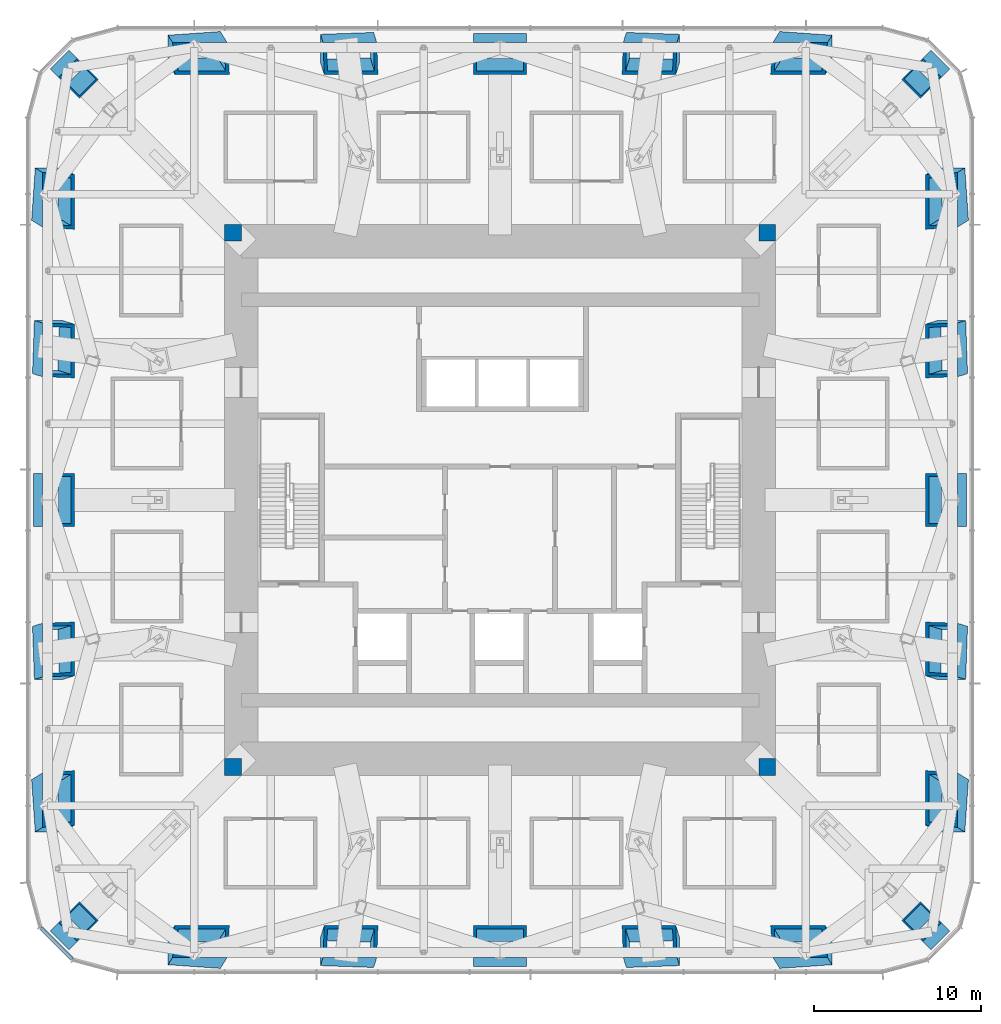
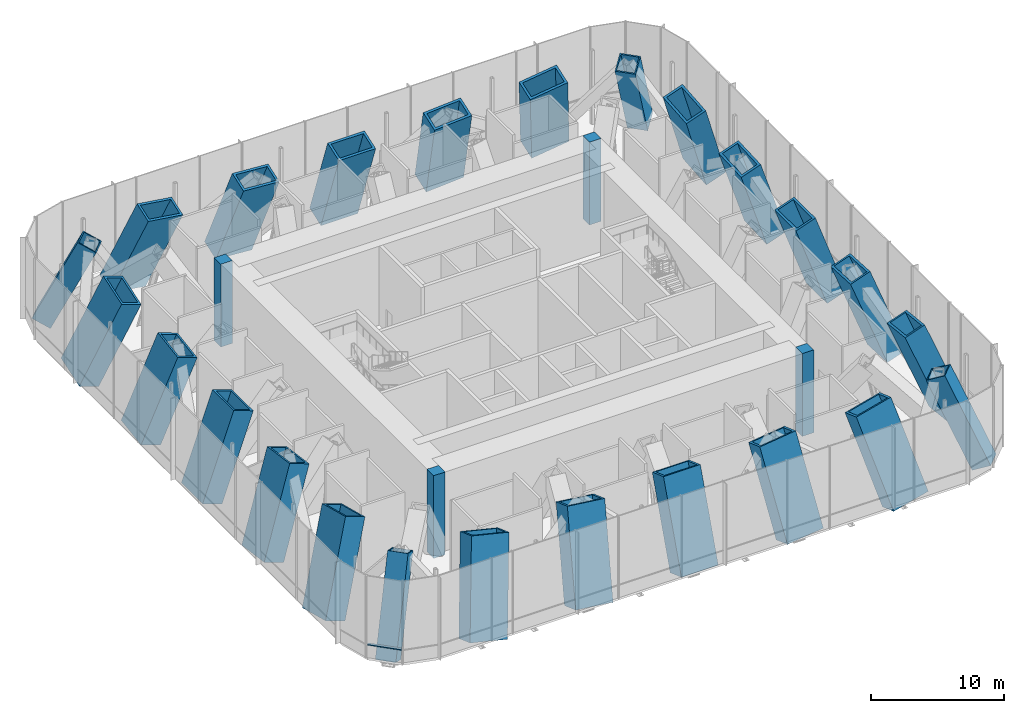
# One storey, part 1 of 16: 28 columns, 1 member, 1 element without a shape of its own.
"""IFC4 building model written with IfcOpenShell, lengths in metres."""

from ifc_helpers import new_model, si_unit, direction, frame, origin, origin_2d, place, context, subcontext, project, spatial, rectangle, hollow_rectangle, extrude, material, material_profile, profile_set, type_object, element, aggregate, save


model = new_model("IFC4")

# Units and contexts
model_context = context("Model", 3, precision=1e-05, world=origin(), true_north=direction((0.0, 1.0)))
body_context = subcontext(model_context, "Body", "Model", "MODEL_VIEW")
ifc_project = project(units=[si_unit("LENGTHUNIT", "METRE"), si_unit("AREAUNIT", "SQUARE_METRE"), si_unit("VOLUMEUNIT", "CUBIC_METRE"), si_unit("PLANEANGLEUNIT", "RADIAN"), si_unit("MASSUNIT", "GRAM", prefix="KILO")], contexts=[model_context])

# Site, building, storey
site_placement = place(None, origin())
site = spatial("IfcSite", under=ifc_project, at=site_placement, CompositionType="ELEMENT")
building_placement = place(site_placement, origin())
building = spatial("IfcBuilding", under=site, at=building_placement, Name="Khuree Lantern Residences", CompositionType="ELEMENT")
storey_placement = place(building_placement, frame((0.0, 0.0, 192.0)))
storey = spatial("IfcBuildingStorey", under=building, at=storey_placement, Name="L48", CompositionType="ELEMENT", Elevation=192.0)

# Columns
ifc_material_1 = material(Name="Steel S355 CFT welded box", Category="steel")
ifc_material_profile_1 = material_profile(ifc_material_1, hollow_rectangle(XDim=1.60009765625, YDim=1.60009765625, WallThickness=0.10009765625, at=origin_2d()), Name="WELDED BOX 1600X1600X100")
ifc_profile_set_1 = profile_set([ifc_material_profile_1], Name="Steel S355 CFT welded box")
column_type_1 = type_object("IfcColumnType", Name="CC1600 PERIMETER CORNER MEGA COLUMN WELDED BOX 1600X1600X100", PredefinedType="COLUMN", material=ifc_profile_set_1)
for number, where, z_axis, x_axis, name in (
    (1, (25.869873046875, 25.869873046875, -0.64990234375), (-0.300622896132, -0.300622896132, 0.905125266824), (0.707106781187, -0.707106781187, 0.0), "Perimeter column NE"),
    (2, (25.869873046875, -25.869873046875, -0.64990234375), (-0.300622896132, 0.300622896132, 0.905125266824), (0.707106781187, 0.707106781187, 0.0), "Perimeter column SE"),
    (3, (-25.869873046875, -25.869873046875, -0.64990234375), (0.300622896132, 0.300622896132, 0.905125266824), (0.707106781187, -0.707106781187, 0.0), "Perimeter column SW"),
    (4, (-25.869873046875, 25.869873046875, -0.64990234375), (0.300622896132, -0.300622896132, 0.905125266824), (0.707106781187, 0.707106781187, 0.0), "Perimeter column NW"),
):
    element("IfcColumn", number, at=place(storey_placement, frame(where, z_axis=z_axis, x_axis=x_axis)), inside=storey, type_object=column_type_1, Name=name, PredefinedType="COLUMN", context=body_context, shape_type="SweptSolid", body=[
        extrude(hollow_rectangle(XDim=1.60009765625, YDim=1.60009765625, WallThickness=0.10009765625, at=origin_2d()), origin(), (0.0, 0.0, 1.0), 8.396484375),
    ])
ifc_material_2 = material(Name="Concrete C70/85", Category="concrete")
ifc_material_profile_2 = material_profile(ifc_material_2, rectangle(XDim=1.0, YDim=1.0, at=origin_2d()), Name="RC 1000X1000")
ifc_profile_set_2 = profile_set([ifc_material_profile_2], Name="Concrete C70/85")
column_type_2 = type_object("IfcColumnType", Name="CP1000-C70 CORE CORNER PIER C70 RC 1000X1000", PredefinedType="COLUMN", material=ifc_profile_set_2)
for number, where, z_axis, x_axis, name in (
    (5, (16.0, 16.0, -0.35009765625), (0.0, 0.0, 1.0), (1.0, 0.0, 0.0), "Core corner pier NE"),
    (6, (-16.0, 16.0, -0.35009765625), (0.0, 0.0, 1.0), (1.0, 0.0, 0.0), "Core corner pier NW"),
    (7, (-16.0, -16.0, -0.35009765625), (0.0, 0.0, 1.0), (1.0, 0.0, 0.0), "Core corner pier SW"),
    (8, (16.0, -16.0, -0.35009765625), (0.0, 0.0, 1.0), (1.0, 0.0, 0.0), "Core corner pier SE"),
):
    element("IfcColumn", number, at=place(storey_placement, frame(where, z_axis=z_axis, x_axis=x_axis)), inside=storey, type_object=column_type_2, Name=name, PredefinedType="COLUMN", context=body_context, shape_type="SweptSolid", body=[
        extrude(rectangle(XDim=1.0, YDim=1.0, at=origin_2d()), origin(), (0.0, 0.0, 1.0), 7.60009765625),
    ])
ifc_material_profile_3 = material_profile(ifc_material_1, hollow_rectangle(XDim=3.199951171875, YDim=1.800048828125, WallThickness=0.199951171875, at=origin_2d()), Name="WELDED BOX 3200X1800X200")
ifc_profile_set_3 = profile_set([ifc_material_profile_3], Name="Steel S355 CFT welded box")
column_type_3 = type_object("IfcColumnType", Name="SC1 PERIMETER MEGA COLUMN WELDED BOX 3200X1800X200", PredefinedType="COLUMN", material=ifc_profile_set_3)
column_1_placement = place(storey_placement, frame((-18.320068359375, 27.10009765625, -0.64990234375), z_axis=(0.203943550843, -0.327755837303, 0.922487473727), x_axis=(0.978982649497, 0.068285763263, -0.192171867138)))
element("IfcColumn", 9, at=column_1_placement, inside=storey, type_object=column_type_3, Name="Perimeter column N1", PredefinedType="COLUMN", context=body_context, shape_type="SweptSolid", body=[
    extrude(hollow_rectangle(XDim=3.199951171875, YDim=1.800048828125, WallThickness=0.199951171875, at=origin_2d()), origin(), (0.0, 0.0, 1.0), 8.238525390625),
])
column_2_placement = place(storey_placement, frame((-9.159912109375, 27.10009765625, -0.64990234375), z_axis=(0.103570687408, -0.332991803119, 0.937224397765), x_axis=(0.994622092871, 0.034607128924, -0.097617821118)))
element("IfcColumn", 10, at=column_2_placement, inside=storey, type_object=column_type_3, Name="Perimeter column N2", PredefinedType="COLUMN", context=body_context, shape_type="SweptSolid", body=[
    extrude(hollow_rectangle(XDim=3.199951171875, YDim=1.800048828125, WallThickness=0.199951171875, at=origin_2d()), origin(), (0.0, 0.0, 1.0), 8.10888671875),
])
column_3_placement = place(storey_placement, frame((0.0, 27.10009765625, -0.64990234375), z_axis=(0.0, -0.334792284074, 0.942291953974), x_axis=(1.0, 0.0, 0.0)))
element("IfcColumn", 11, at=column_3_placement, inside=storey, type_object=column_type_3, Name="Perimeter column N3", PredefinedType="COLUMN", context=body_context, shape_type="SweptSolid", body=[
    extrude(hollow_rectangle(XDim=3.199951171875, YDim=1.800048828125, WallThickness=0.199951171875, at=origin_2d()), origin(), (0.0, 0.0, 1.0), 8.065185546875),
])
column_4_placement = place(storey_placement, frame((9.159912109375, 27.10009765625, -0.64990234375), z_axis=(-0.103570687408, -0.332991803119, 0.937224397765), x_axis=(0.994622092871, -0.034607128924, 0.097617821118)))
element("IfcColumn", 12, at=column_4_placement, inside=storey, type_object=column_type_3, Name="Perimeter column N4", PredefinedType="COLUMN", context=body_context, shape_type="SweptSolid", body=[
    extrude(hollow_rectangle(XDim=3.199951171875, YDim=1.800048828125, WallThickness=0.199951171875, at=origin_2d()), origin(), (0.0, 0.0, 1.0), 8.10888671875),
])
for number, where, z_axis, x_axis, name in (
    (13, (18.320068359375, 27.10009765625, -0.64990234375), (-0.203943550843, -0.327755837303, 0.922487473727), (0.978982649497, -0.068285763263, 0.192171867138), "Perimeter column N5"),
    (14, (27.10009765625, 18.320068359375, -0.64990234375), (-0.327755837303, -0.203943550843, 0.922487473727), (-0.068285763263, 0.978982649497, 0.192171867138), "Perimeter column E1"),
):
    element("IfcColumn", number, at=place(storey_placement, frame(where, z_axis=z_axis, x_axis=x_axis)), inside=storey, type_object=column_type_3, Name=name, PredefinedType="COLUMN", context=body_context, shape_type="SweptSolid", body=[
        extrude(hollow_rectangle(XDim=3.199951171875, YDim=1.800048828125, WallThickness=0.199951171875, at=origin_2d()), origin(), (0.0, 0.0, 1.0), 8.238525390625),
    ])
column_5_placement = place(storey_placement, frame((27.10009765625, 9.159912109375, -0.64990234375), z_axis=(-0.332991803119, -0.103570687408, 0.937224397765), x_axis=(-0.034607128924, 0.994622092871, 0.097617821118)))
element("IfcColumn", 15, at=column_5_placement, inside=storey, type_object=column_type_3, Name="Perimeter column E2", PredefinedType="COLUMN", context=body_context, shape_type="SweptSolid", body=[
    extrude(hollow_rectangle(XDim=3.199951171875, YDim=1.800048828125, WallThickness=0.199951171875, at=origin_2d()), origin(), (0.0, 0.0, 1.0), 8.10888671875),
])
column_6_placement = place(storey_placement, frame((27.10009765625, 0.0, -0.64990234375), z_axis=(-0.334792284074, 0.0, 0.942291953974), x_axis=(0.0, 1.0, 0.0)))
element("IfcColumn", 16, at=column_6_placement, inside=storey, type_object=column_type_3, Name="Perimeter column E3", PredefinedType="COLUMN", context=body_context, shape_type="SweptSolid", body=[
    extrude(hollow_rectangle(XDim=3.199951171875, YDim=1.800048828125, WallThickness=0.199951171875, at=origin_2d()), origin(), (0.0, 0.0, 1.0), 8.065185546875),
])
column_7_placement = place(storey_placement, frame((27.10009765625, -9.159912109375, -0.64990234375), z_axis=(-0.332991803119, 0.103570687408, 0.937224397765), x_axis=(0.034607128924, 0.994622092871, -0.097617821118)))
element("IfcColumn", 17, at=column_7_placement, inside=storey, type_object=column_type_3, Name="Perimeter column E4", PredefinedType="COLUMN", context=body_context, shape_type="SweptSolid", body=[
    extrude(hollow_rectangle(XDim=3.199951171875, YDim=1.800048828125, WallThickness=0.199951171875, at=origin_2d()), origin(), (0.0, 0.0, 1.0), 8.10888671875),
])
for number, where, z_axis, x_axis, name in (
    (18, (27.10009765625, -18.320068359375, -0.64990234375), (-0.327755837303, 0.203943550843, 0.922487473727), (0.068285763263, 0.978982649497, -0.192171867138), "Perimeter column E5"),
    (19, (18.320068359375, -27.10009765625, -0.64990234375), (-0.203943550843, 0.327755837303, 0.922487473727), (0.978982649497, 0.068285763263, 0.192171867138), "Perimeter column S1"),
):
    element("IfcColumn", number, at=place(storey_placement, frame(where, z_axis=z_axis, x_axis=x_axis)), inside=storey, type_object=column_type_3, Name=name, PredefinedType="COLUMN", context=body_context, shape_type="SweptSolid", body=[
        extrude(hollow_rectangle(XDim=3.199951171875, YDim=1.800048828125, WallThickness=0.199951171875, at=origin_2d()), origin(), (0.0, 0.0, 1.0), 8.238525390625),
    ])
column_8_placement = place(storey_placement, frame((9.159912109375, -27.10009765625, -0.64990234375), z_axis=(-0.103570687408, 0.332991803119, 0.937224397765), x_axis=(0.994622092871, 0.034607128924, 0.097617821118)))
element("IfcColumn", 20, at=column_8_placement, inside=storey, type_object=column_type_3, Name="Perimeter column S2", PredefinedType="COLUMN", context=body_context, shape_type="SweptSolid", body=[
    extrude(hollow_rectangle(XDim=3.199951171875, YDim=1.800048828125, WallThickness=0.199951171875, at=origin_2d()), origin(), (0.0, 0.0, 1.0), 8.10888671875),
])
column_9_placement = place(storey_placement, frame((0.0, -27.10009765625, -0.64990234375), z_axis=(0.0, 0.334792284074, 0.942291953974), x_axis=(1.0, 0.0, 0.0)))
element("IfcColumn", 21, at=column_9_placement, inside=storey, type_object=column_type_3, Name="Perimeter column S3", PredefinedType="COLUMN", context=body_context, shape_type="SweptSolid", body=[
    extrude(hollow_rectangle(XDim=3.199951171875, YDim=1.800048828125, WallThickness=0.199951171875, at=origin_2d()), origin(), (0.0, 0.0, 1.0), 8.065185546875),
])
column_10_placement = place(storey_placement, frame((-9.159912109375, -27.10009765625, -0.64990234375), z_axis=(0.103570687408, 0.332991803119, 0.937224397765), x_axis=(0.994622092871, -0.034607128924, -0.097617821118)))
element("IfcColumn", 22, at=column_10_placement, inside=storey, type_object=column_type_3, Name="Perimeter column S4", PredefinedType="COLUMN", context=body_context, shape_type="SweptSolid", body=[
    extrude(hollow_rectangle(XDim=3.199951171875, YDim=1.800048828125, WallThickness=0.199951171875, at=origin_2d()), origin(), (0.0, 0.0, 1.0), 8.10888671875),
])
for number, where, z_axis, x_axis, name in (
    (23, (-18.320068359375, -27.10009765625, -0.64990234375), (0.203943550843, 0.327755837303, 0.922487473727), (0.978982649497, -0.068285763263, -0.192171867138), "Perimeter column S5"),
    (24, (-27.10009765625, -18.320068359375, -0.64990234375), (0.327755837303, 0.203943550843, 0.922487473727), (-0.068285763263, 0.978982649497, -0.192171867138), "Perimeter column W1"),
):
    element("IfcColumn", number, at=place(storey_placement, frame(where, z_axis=z_axis, x_axis=x_axis)), inside=storey, type_object=column_type_3, Name=name, PredefinedType="COLUMN", context=body_context, shape_type="SweptSolid", body=[
        extrude(hollow_rectangle(XDim=3.199951171875, YDim=1.800048828125, WallThickness=0.199951171875, at=origin_2d()), origin(), (0.0, 0.0, 1.0), 8.238525390625),
    ])
column_11_placement = place(storey_placement, frame((-27.10009765625, -9.159912109375, -0.64990234375), z_axis=(0.332991803119, 0.103570687408, 0.937224397765), x_axis=(-0.034607128924, 0.994622092871, -0.097617821118)))
element("IfcColumn", 25, at=column_11_placement, inside=storey, type_object=column_type_3, Name="Perimeter column W2", PredefinedType="COLUMN", context=body_context, shape_type="SweptSolid", body=[
    extrude(hollow_rectangle(XDim=3.199951171875, YDim=1.800048828125, WallThickness=0.199951171875, at=origin_2d()), origin(), (0.0, 0.0, 1.0), 8.10888671875),
])
column_12_placement = place(storey_placement, frame((-27.10009765625, 0.0, -0.64990234375), z_axis=(0.334792284074, 0.0, 0.942291953974), x_axis=(0.0, 1.0, 0.0)))
element("IfcColumn", 26, at=column_12_placement, inside=storey, type_object=column_type_3, Name="Perimeter column W3", PredefinedType="COLUMN", context=body_context, shape_type="SweptSolid", body=[
    extrude(hollow_rectangle(XDim=3.199951171875, YDim=1.800048828125, WallThickness=0.199951171875, at=origin_2d()), origin(), (0.0, 0.0, 1.0), 8.065185546875),
])
column_13_placement = place(storey_placement, frame((-27.10009765625, 9.159912109375, -0.64990234375), z_axis=(0.332991803119, -0.103570687408, 0.937224397765), x_axis=(0.034607128924, 0.994622092871, 0.097617821118)))
element("IfcColumn", 27, at=column_13_placement, inside=storey, type_object=column_type_3, Name="Perimeter column W4", PredefinedType="COLUMN", context=body_context, shape_type="SweptSolid", body=[
    extrude(hollow_rectangle(XDim=3.199951171875, YDim=1.800048828125, WallThickness=0.199951171875, at=origin_2d()), origin(), (0.0, 0.0, 1.0), 8.10888671875),
])
column_14_placement = place(storey_placement, frame((-27.10009765625, 18.320068359375, -0.64990234375), z_axis=(0.327755837303, -0.203943550843, 0.922487473727), x_axis=(0.068285763263, 0.978982649497, 0.192171867138)))
element("IfcColumn", 28, at=column_14_placement, inside=storey, type_object=column_type_3, Name="Perimeter column W5", PredefinedType="COLUMN", context=body_context, shape_type="SweptSolid", body=[
    extrude(hollow_rectangle(XDim=3.199951171875, YDim=1.800048828125, WallThickness=0.199951171875, at=origin_2d()), origin(), (0.0, 0.0, 1.0), 8.238525390625),
])

# Curtain wall, member
ifc_material_3 = material(Name="Bronze anodised aluminium", Category="aluminium")
curtain_wall_type = type_object("IfcCurtainWallType", Name="CW-G PLANT STOREY LOUVRED CURTAIN WALL", PredefinedType="USERDEFINED", material=ifc_material_3)
curtain_wall_placement = place(storey_placement, origin())
curtain_wall = element("IfcCurtainWall", 29, at=curtain_wall_placement, inside=storey, type_object=curtain_wall_type, Name="L48 SOUTH-WEST CORNER CURTAIN WALL", ObjectType="Louvred curtain wall", PredefinedType="USERDEFINED")
ifc_material_profile_4 = material_profile(ifc_material_3, rectangle(XDim=0.219970703125, YDim=0.080078125, at=origin_2d()), Name="T2 220X80")
ifc_profile_set_4 = profile_set([ifc_material_profile_4], Name="Bronze anodised aluminium")
member_type = type_object("IfcMemberType", Name="TRANSOM T2 PLANT 220X80", PredefinedType="USERDEFINED", material=ifc_profile_set_4)
member_placement = place(storey_placement, frame((-27.50048828125, -25.633544921875, 1.199951171875), z_axis=(0.707106781187, -0.707106781187, 0.0), x_axis=(0.707106781187, 0.707106781187, 0.0)))
member = element("IfcMember", 30, at=member_placement, type_object=member_type, Name="L48 SOUTH-WEST CORNER TRANSOM 44.1", ObjectType="Transom", PredefinedType="USERDEFINED", context=body_context, shape_type="SweptSolid", body=[
    extrude(rectangle(XDim=0.219970703125, YDim=0.080078125, at=origin_2d()), origin(), (0.0, 0.0, 1.0), 2.64013671875),
])
aggregate(curtain_wall, [member])

save(model, "model.ifc")
